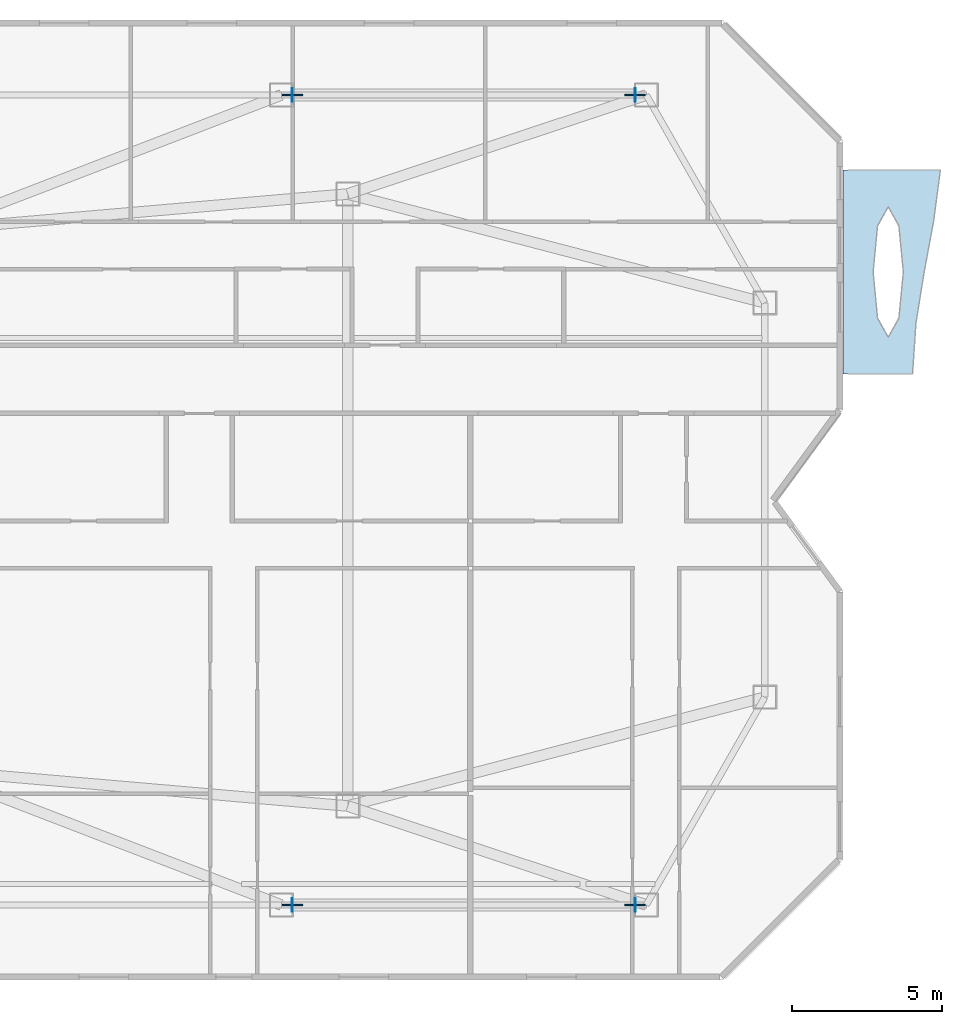
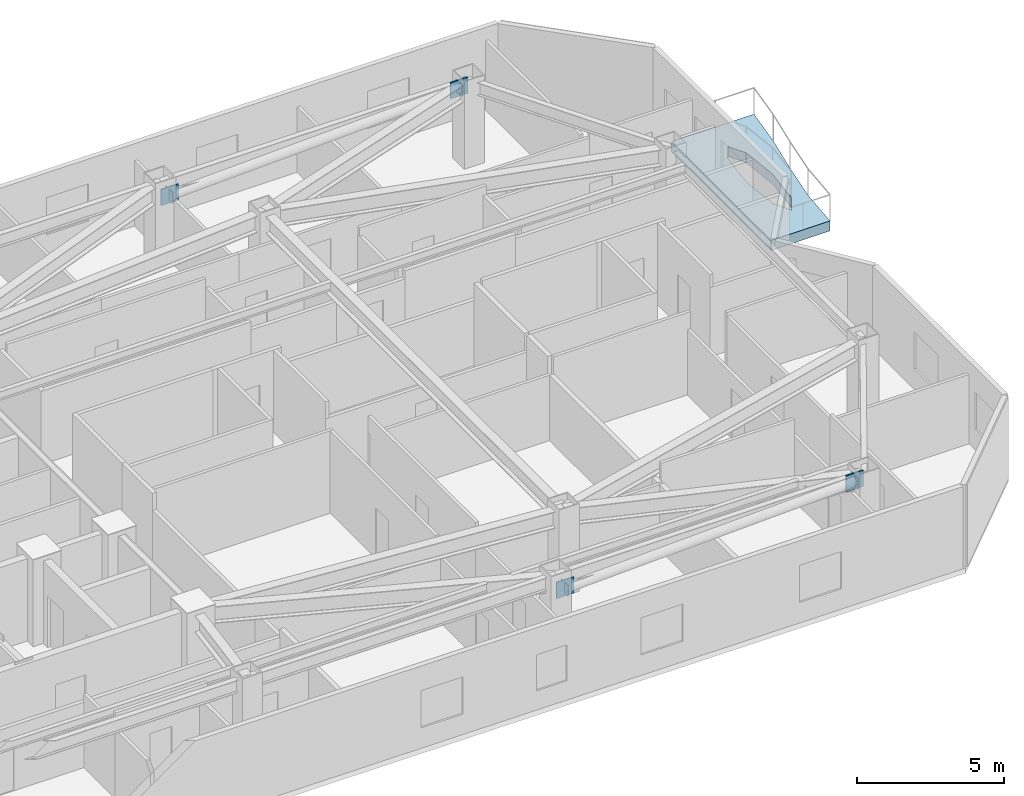
# One storey, part 3 of 10: 8 plates, 1 slab.
"""IFC4 building model written with IfcOpenShell, lengths in metres."""

from ifc_helpers import new_model, si_unit, direction, frame, origin, origin_2d, place, context, subcontext, project, spatial, polyline, rectangle, outline, extrude, material, layer, layer_set, type_object, element, save


model = new_model("IFC4")

# Units and contexts
model_context = context("Model", 3, precision=1e-05, world=origin(), true_north=direction((0.0, 1.0)))
body_context = subcontext(model_context, "Body", "Model", "MODEL_VIEW")
ifc_project = project(units=[si_unit("LENGTHUNIT", "METRE"), si_unit("AREAUNIT", "SQUARE_METRE"), si_unit("VOLUMEUNIT", "CUBIC_METRE"), si_unit("PLANEANGLEUNIT", "RADIAN"), si_unit("MASSUNIT", "GRAM", prefix="KILO")], contexts=[model_context])

# Site, building, storey
site_placement = place(None, origin())
site = spatial("IfcSite", under=ifc_project, at=site_placement, CompositionType="ELEMENT")
building_placement = place(site_placement, origin())
building = spatial("IfcBuilding", under=site, at=building_placement, Name="Khamvora Tower", CompositionType="ELEMENT")
storey_placement = place(building_placement, frame((0.0, 0.0, 228.14990234375)))
storey = spatial("IfcBuildingStorey", under=building, at=storey_placement, Name="L58", CompositionType="ELEMENT", Elevation=228.14990234375)

# Plates
ifc_material_1 = material(Name="Steel S355", Category="steel")
ifc_layer_1 = layer(ifc_material_1, 0.02490234375)
ifc_layer_set_1 = layer_set([ifc_layer_1], Name="Steel S355")
plate_type_1 = type_object("IfcPlateType", Name="PL-CAP-25", PredefinedType="SHEET", material=ifc_layer_set_1)
for number, where, z_axis, x_axis, name in (
    (1, (51.450927734375, 14.5, 2.4619140625), (0.0, 0.0, 1.0), (1.0, 0.0, 0.0), "L58 hollow section steel end cap plate 1142"),
    (2, (62.882080078125, 14.5, 2.916015625), (0.0, 0.0, 1.0), (1.0, 0.0, 0.0), "L58 hollow section steel end cap plate 1143"),
    (3, (51.450927734375, 41.5, 2.4619140625), (0.0, 0.0, 1.0), (1.0, 0.0, 0.0), "L58 hollow section steel end cap plate 1144"),
    (4, (62.882080078125, 41.5, 2.916015625), (0.0, 0.0, 1.0), (1.0, 0.0, 0.0), "L58 hollow section steel end cap plate 1145"),
):
    element("IfcPlate", number, at=place(storey_placement, frame(where, z_axis=z_axis, x_axis=x_axis)), inside=storey, type_object=plate_type_1, Name=name, PredefinedType="SHEET", context=body_context, shape_type="SweptSolid", body=[
        extrude(rectangle(XDim=0.02490234375, YDim=0.466064453125, at=origin_2d()), origin(), (0.0, 0.0, 1.0), 0.466064453125),
    ])
ifc_material_2 = material(Name="Steel S460", Category="steel")
ifc_layer_2 = layer(ifc_material_2, 0.0400390625)
ifc_layer_set_2 = layer_set([ifc_layer_2], Name="Steel S460")
plate_type_2 = type_object("IfcPlateType", Name="PLT-GUS-40", PredefinedType="SHEET", material=ifc_layer_set_2)
for number, where, z_axis, x_axis, name in (
    (5, (51.462890625, 14.5, 2.35498046875), (0.0, 0.0, 1.0), (1.0, 0.0, 0.0), "L58 brace connection node gusset plate 0385"),
    (6, (62.8701171875, 14.5, 2.80908203125), (0.0, 0.0, 1.0), (1.0, 0.0, 0.0), "L58 brace connection node gusset plate 0386"),
    (7, (51.462890625, 41.5, 2.35498046875), (0.0, 0.0, 1.0), (1.0, 0.0, 0.0), "L58 brace connection node gusset plate 0387"),
    (8, (62.8701171875, 41.5, 2.80908203125), (0.0, 0.0, 1.0), (1.0, 0.0, 0.0), "L58 brace connection node gusset plate 0388"),
):
    element("IfcPlate", number, at=place(storey_placement, frame(where, z_axis=z_axis, x_axis=x_axis)), inside=storey, type_object=plate_type_2, Name=name, PredefinedType="SHEET", context=body_context, shape_type="SweptSolid", body=[
        extrude(rectangle(XDim=0.679931640625, YDim=0.0400390625, at=origin_2d()), origin(), (0.0, 0.0, 1.0), 0.679931640625),
    ])

# Slab
ifc_material_3 = material(Name="Concrete C40/50", Category="concrete")
ifc_layer_3 = layer(ifc_material_3, 0.419921875)
ifc_layer_set_3 = layer_set([ifc_layer_3], Name="Concrete C40/50")
slab_type = type_object("IfcSlabType", Name="SLB-GRD-420", PredefinedType="FLOOR", material=ifc_layer_set_3)
slab_placement = place(storey_placement, frame((0.0, 0.0, -0.419921875)))
element("IfcSlab", 9, at=slab_placement, inside=storey, type_object=slab_type, Name="L58 external lens gallery slab EL2", PredefinedType="FLOOR", context=body_context, shape_type="SweptSolid", body=[
    extrude(outline(polyline([(72.125, 32.199951171875), (72.239013671875, 33.89990234375), (72.512939453125, 35.60009765625), (72.8291015625, 37.300048828125), (73.052978515625, 39.0), (69.800048828125, 39.0), (69.800048828125, 32.199951171875), (72.125, 32.199951171875)]), holes=[polyline([(71.819091796875, 35.60009765625), (71.6708984375, 37.138916015625), (71.31494140625, 37.77587890625), (70.958984375, 37.138916015625), (70.81103515625, 35.60009765625), (70.958984375, 34.06103515625), (71.31494140625, 33.424072265625), (71.6708984375, 34.06103515625), (71.819091796875, 35.60009765625)])]), origin(), (0.0, 0.0, 1.0), 0.419921875),
])

save(model, "model.ifc")
